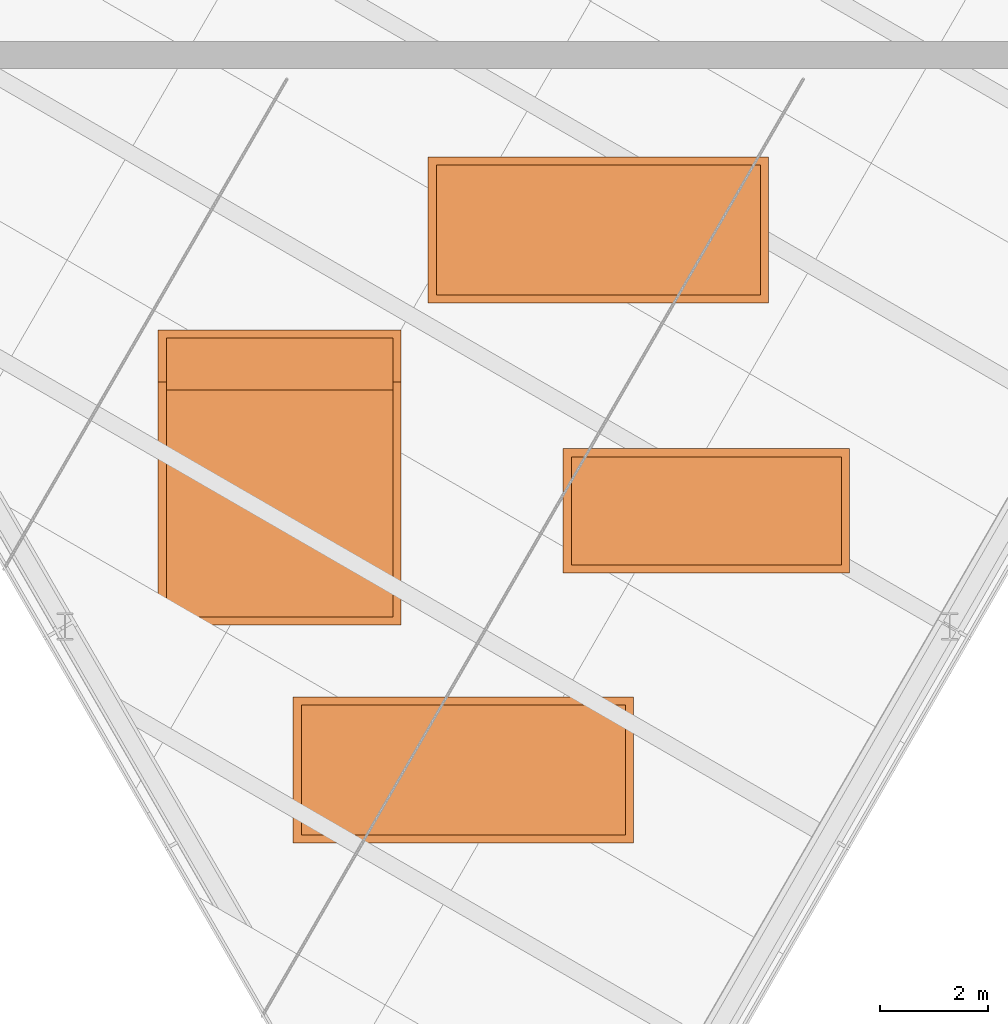
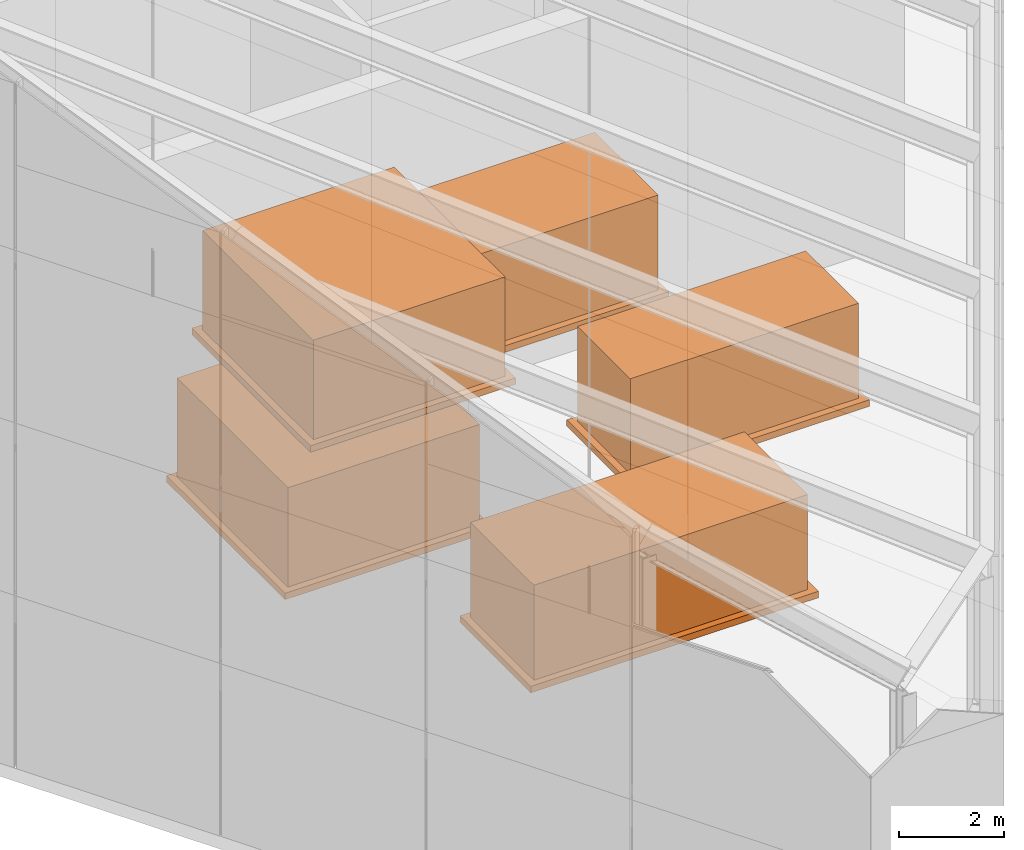
# One storey, part 16 of 16: 10 proxies.
"""IFC4 building model written with IfcOpenShell, lengths in metres."""

from ifc_helpers import new_model, si_unit, direction, frame, origin, origin_2d, place, context, subcontext, project, spatial, rectangle, extrude, material, type_object, element, save


model = new_model("IFC4")

# Units and contexts
model_context = context("Model", 3, precision=1e-05, world=origin(), true_north=direction((0.0, 1.0)))
body_context = subcontext(model_context, "Body", "Model", "MODEL_VIEW")
ifc_project = project(units=[si_unit("LENGTHUNIT", "METRE"), si_unit("AREAUNIT", "SQUARE_METRE"), si_unit("VOLUMEUNIT", "CUBIC_METRE"), si_unit("PLANEANGLEUNIT", "RADIAN"), si_unit("MASSUNIT", "GRAM", prefix="KILO")], contexts=[model_context])

# Site, building, storey
site_placement = place(None, origin())
site = spatial("IfcSite", under=ifc_project, at=site_placement, CompositionType="ELEMENT")
building_placement = place(site_placement, origin())
building = spatial("IfcBuilding", under=site, at=building_placement, Name="Altiplano Prism Tower", CompositionType="ELEMENT")
storey_placement = place(building_placement, frame((0.0, 0.0, 358.0)))
storey = spatial("IfcBuildingStorey", under=building, at=storey_placement, Name="Crown", CompositionType="ELEMENT", Elevation=358.0)

# Proxies
ifc_material_1 = material(Name="Steel S355", Category="steel")
building_element_proxy_type_1 = type_object("IfcBuildingElementProxyType", Name="Air handling unit 5000 x 2000 x 2200", PredefinedType="USERDEFINED", material=ifc_material_1)
proxy_1_placement = place(storey_placement, frame((88.683349609375, 84.70849609375, 4.14990234375), z_axis=(0.0, 0.0, 1.0), x_axis=(1.0, 0.0, 0.0)))
element("IfcBuildingElementProxy", 1, at=proxy_1_placement, inside=storey, type_object=building_element_proxy_type_1, Name="Air handling unit 1.3", ObjectType="AIR HANDLING UNIT", PredefinedType="USERDEFINED", context=body_context, shape_type="SweptSolid", body=[
    extrude(rectangle(XDim=5.0, YDim=2.0, at=origin_2d()), origin(), (0.0, 0.0, 1.0), 2.199951171875),
])
building_element_proxy_type_2 = type_object("IfcBuildingElementProxyType", Name="Chiller 6000 x 2400 x 2200", PredefinedType="USERDEFINED", material=ifc_material_1)
for number, where, z_axis, x_axis, name in (
    (2, (84.183349609375, 79.908447265625, 4.14990234375), (0.0, 0.0, 1.0), (1.0, 0.0, 0.0), "Chiller 1.1"),
    (3, (86.683349609375, 89.908447265625, 4.14990234375), (0.0, 0.0, 1.0), (1.0, 0.0, 0.0), "Chiller 1.4"),
):
    element("IfcBuildingElementProxy", number, at=place(storey_placement, frame(where, z_axis=z_axis, x_axis=x_axis)), inside=storey, type_object=building_element_proxy_type_2, Name=name, ObjectType="CHILLER", PredefinedType="USERDEFINED", context=body_context, shape_type="SweptSolid", body=[
        extrude(rectangle(XDim=6.0, YDim=2.39990234375, at=origin_2d()), origin(), (0.0, 0.0, 1.0), 2.199951171875),
    ])
building_element_proxy_type_3 = type_object("IfcBuildingElementProxyType", Name="Cooling tower 4200 x 4200 x 2300", PredefinedType="USERDEFINED", material=ifc_material_1)
for number, where, z_axis, x_axis, name in (
    (4, (80.783203125, 85.80859375, 4.14990234375), (0.0, 0.0, 1.0), (1.0, 0.0, 0.0), "Cooling tower 1.2"),
    (5, (80.783203125, 84.844970703125, 8.14990234375), (0.0, 0.0, 1.0), (1.0, 0.0, 0.0), "Cooling tower 2.1"),
):
    element("IfcBuildingElementProxy", number, at=place(storey_placement, frame(where, z_axis=z_axis, x_axis=x_axis)), inside=storey, type_object=building_element_proxy_type_3, Name=name, ObjectType="COOLING TOWER", PredefinedType="USERDEFINED", context=body_context, shape_type="SweptSolid", body=[
        extrude(rectangle(XDim=4.199951171875, YDim=4.199951171875, at=origin_2d()), origin(), (0.0, 0.0, 1.0), 2.300048828125),
    ])
ifc_material_2 = material(Name="Concrete C40", Category="concrete")
building_element_proxy_type_4 = type_object("IfcBuildingElementProxyType", Name="Plant plinth 150", PredefinedType="USERDEFINED", material=ifc_material_2)
proxy_2_placement = place(storey_placement, frame((84.183349609375, 79.908447265625, 4.0), z_axis=(0.0, 0.0, 1.0), x_axis=(1.0, 0.0, 0.0)))
element("IfcBuildingElementProxy", 6, at=proxy_2_placement, inside=storey, type_object=building_element_proxy_type_4, Name="Plant plinth 1.1", ObjectType="PLINTH", PredefinedType="USERDEFINED", context=body_context, shape_type="SweptSolid", body=[
    extrude(rectangle(XDim=6.300048828125, YDim=2.699951171875, at=origin_2d()), origin(), (0.0, 0.0, 1.0), 0.14990234375),
])
proxy_3_placement = place(storey_placement, frame((80.783203125, 85.80859375, 4.0), z_axis=(0.0, 0.0, 1.0), x_axis=(1.0, 0.0, 0.0)))
element("IfcBuildingElementProxy", 7, at=proxy_3_placement, inside=storey, type_object=building_element_proxy_type_4, Name="Plant plinth 1.2", ObjectType="PLINTH", PredefinedType="USERDEFINED", context=body_context, shape_type="SweptSolid", body=[
    extrude(rectangle(XDim=4.5, YDim=4.5, at=origin_2d()), origin(), (0.0, 0.0, 1.0), 0.14990234375),
])
proxy_4_placement = place(storey_placement, frame((88.683349609375, 84.70849609375, 4.0), z_axis=(0.0, 0.0, 1.0), x_axis=(1.0, 0.0, 0.0)))
element("IfcBuildingElementProxy", 8, at=proxy_4_placement, inside=storey, type_object=building_element_proxy_type_4, Name="Plant plinth 1.3", ObjectType="PLINTH", PredefinedType="USERDEFINED", context=body_context, shape_type="SweptSolid", body=[
    extrude(rectangle(XDim=5.300048828125, YDim=2.300048828125, at=origin_2d()), origin(), (0.0, 0.0, 1.0), 0.14990234375),
])
proxy_5_placement = place(storey_placement, frame((86.683349609375, 89.908447265625, 4.0), z_axis=(0.0, 0.0, 1.0), x_axis=(1.0, 0.0, 0.0)))
element("IfcBuildingElementProxy", 9, at=proxy_5_placement, inside=storey, type_object=building_element_proxy_type_4, Name="Plant plinth 1.4", ObjectType="PLINTH", PredefinedType="USERDEFINED", context=body_context, shape_type="SweptSolid", body=[
    extrude(rectangle(XDim=6.300048828125, YDim=2.699951171875, at=origin_2d()), origin(), (0.0, 0.0, 1.0), 0.14990234375),
])
proxy_6_placement = place(storey_placement, frame((80.783203125, 84.844970703125, 8.0), z_axis=(0.0, 0.0, 1.0), x_axis=(1.0, 0.0, 0.0)))
element("IfcBuildingElementProxy", 10, at=proxy_6_placement, inside=storey, type_object=building_element_proxy_type_4, Name="Plant plinth 2.1", ObjectType="PLINTH", PredefinedType="USERDEFINED", context=body_context, shape_type="SweptSolid", body=[
    extrude(rectangle(XDim=4.5, YDim=4.5, at=origin_2d()), origin(), (0.0, 0.0, 1.0), 0.14990234375),
])

save(model, "model.ifc")
